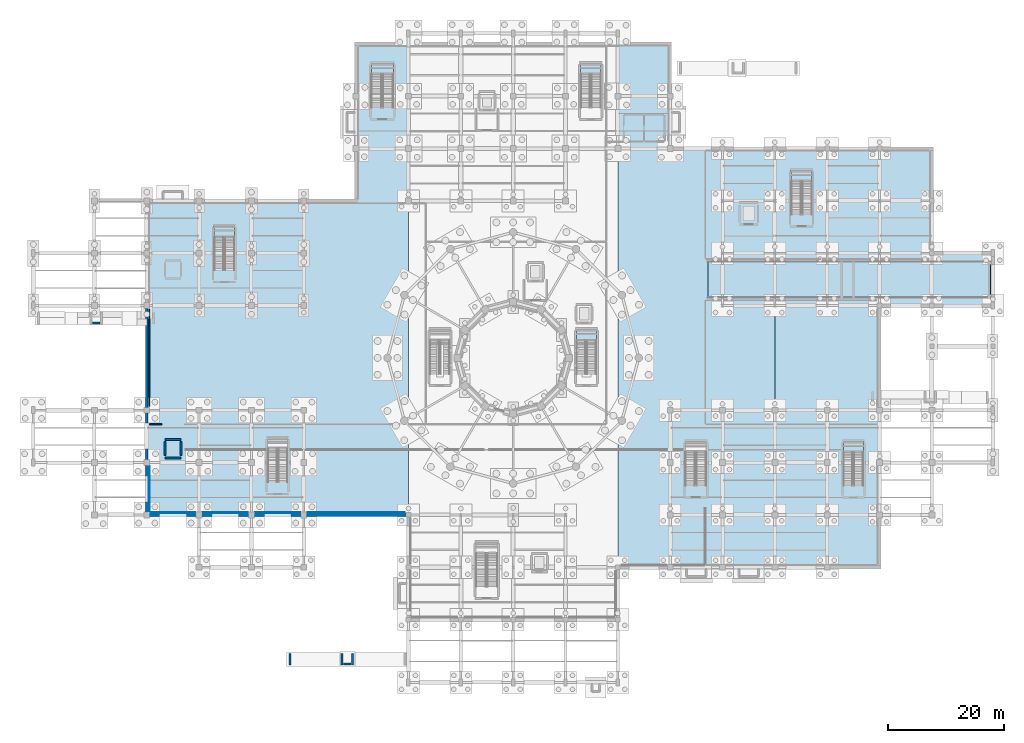
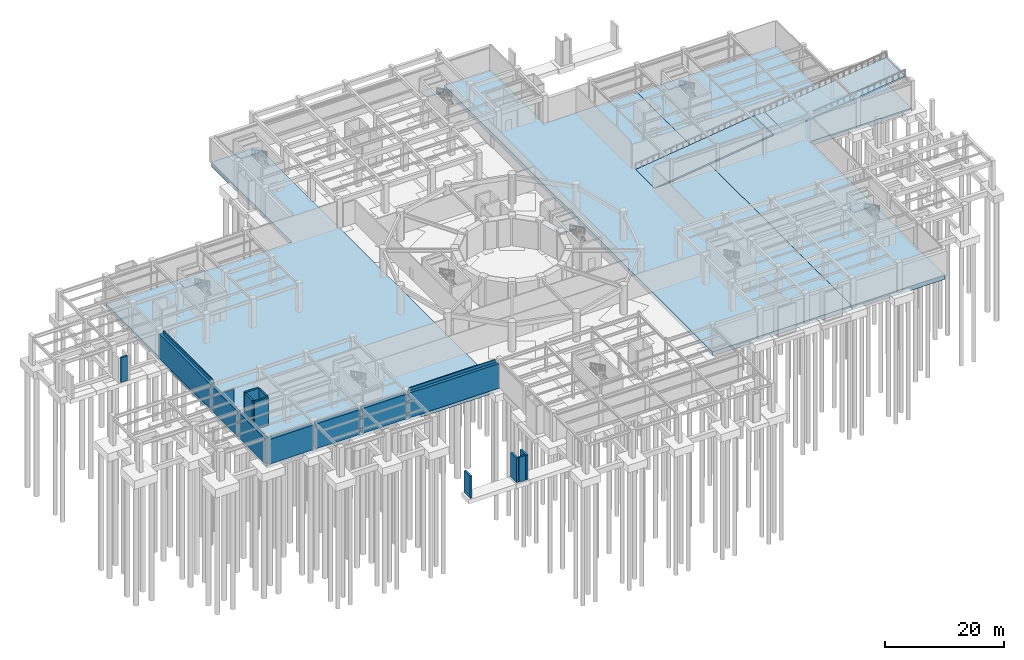
# One storey, part 16 of 36: 23 walls, 12 slabs, 6 elements without a shape of their own.
"""IFC4 building model written with IfcOpenShell, lengths in metres."""

from ifc_helpers import new_model, si_unit, direction, frame, frame_2d, origin, place, context, subcontext, project, spatial, polyline, rectangle, outline, extrude, material, layer, layer_set, type_object, element, aggregate, save


model = new_model("IFC4")

# Units and contexts
model_context = context("Model", 3, precision=1e-05, world=origin(), true_north=direction((0.0, 1.0)))
body_context = subcontext(model_context, "Body", "Model", "MODEL_VIEW")
ifc_project = project(units=[si_unit("LENGTHUNIT", "METRE"), si_unit("AREAUNIT", "SQUARE_METRE"), si_unit("VOLUMEUNIT", "CUBIC_METRE"), si_unit("PLANEANGLEUNIT", "RADIAN"), si_unit("MASSUNIT", "GRAM", prefix="KILO")], contexts=[model_context])

# Site, building, storey
site_placement = place(None, origin())
site = spatial("IfcSite", under=ifc_project, at=site_placement, CompositionType="ELEMENT")
building_placement = place(site_placement, origin())
building = spatial("IfcBuilding", under=site, at=building_placement, Name="Haizhuo Lancet Aquarium", CompositionType="ELEMENT")
storey_placement = place(building_placement, frame((0.0, 0.0, -6.0)))
storey = spatial("IfcBuildingStorey", under=building, at=storey_placement, Name="B1", CompositionType="ELEMENT", Elevation=-6.0)

# Slabs
ifc_material_1 = material(Name="Concrete C45/55", Category="concrete")
ifc_layer_1 = layer(ifc_material_1, 0.89990234375)
ifc_layer_set_1 = layer_set([ifc_layer_1], Name="Concrete C45/55")
slab_type_1 = type_object("IfcSlabType", Name="SLB-BASE-900", PredefinedType="BASESLAB", material=ifc_layer_set_1)
slab_1_placement = place(storey_placement, frame((0.0, 0.0, -0.89990234375)))
element("IfcSlab", 1, at=slab_1_placement, inside=storey, type_object=slab_type_1, Name="B1 structural slab SL-B1-BASE-01", PredefinedType="BASESLAB", context=body_context, shape_type="SweptSolid", body=[
    extrude(outline(polyline([(-63.0, 27.0), (-63.0, -27.0), (-18.0, -27.0), (-18.0, 54.0), (-27.0, 54.0), (-27.0, 27.0), (-63.0, 27.0)])), origin(), (0.0, 0.0, 1.0), 0.89990234375),
])
slab_2_placement = place(storey_placement, frame((0.0, 0.0, -0.89990234375)))
element("IfcSlab", 2, at=slab_2_placement, inside=storey, type_object=slab_type_1, Name="B1 structural slab SL-B1-BASE-03", PredefinedType="BASESLAB", context=body_context, shape_type="SweptSolid", body=[
    extrude(outline(polyline([(18.0, 54.0), (18.0, -36.0), (45.0, -36.0), (45.0, 36.0), (27.0, 36.0), (27.0, 54.0), (18.0, 54.0)])), origin(), (0.0, 0.0, 1.0), 0.89990234375),
])
slab_3_placement = place(storey_placement, frame((0.0, 0.0, -0.89990234375)))
element("IfcSlab", 3, at=slab_3_placement, inside=storey, type_object=slab_type_1, Name="B1 structural slab SL-B1-BASE-04", PredefinedType="BASESLAB", context=body_context, shape_type="SweptSolid", body=[
    extrude(outline(polyline([(45.0, 36.0), (45.0, -36.0), (63.0, -36.0), (63.0, 9.0), (82.5, 9.0), (82.5, 18.0), (72.0, 18.0), (72.0, 36.0), (45.0, 36.0)])), origin(), (0.0, 0.0, 1.0), 0.89990234375),
])

# Stair, slab
ifc_material_2 = material(Name="Concrete C40/50", Category="concrete")
stair_type_1 = type_object("IfcStairType", Name="STR-HT-1600-60", PredefinedType="HALF_TURN_STAIR", material=ifc_material_2)
stair_1_placement = place(storey_placement, origin())
stair_1 = element("IfcStair", 4, at=stair_1_placement, inside=storey, type_object=stair_type_1, Name="B1 enclosed exit stair ST-02", PredefinedType="HALF_TURN_STAIR")
ifc_layer_2 = layer(ifc_material_2, 0.199951171875)
ifc_layer_set_2 = layer_set([ifc_layer_2], Name="Concrete C40/50")
slab_type_2 = type_object("IfcSlabType", Name="SLB-LND-1600", PredefinedType="LANDING", material=ifc_layer_set_2)
slab_4_placement = place(storey_placement, frame((0.0, 0.0, 2.800048828125)))
slab_4 = element("IfcSlab", 5, at=slab_4_placement, type_object=slab_type_2, Name="ST-16 landing 1", PredefinedType="LANDING", context=body_context, shape_type="SweptSolid", body=[
    extrude(outline(polyline([(14.300048828125, 2.949951171875), (14.300048828125, 4.85009765625), (10.89990234375, 4.85009765625), (10.89990234375, 2.949951171875), (14.300048828125, 2.949951171875)])), origin(), (0.0, 0.0, 1.0), 0.199951171875),
])
aggregate(stair_1, [slab_4])

stair_2_placement = place(storey_placement, origin())
stair_2 = element("IfcStair", 6, at=stair_2_placement, inside=storey, type_object=stair_type_1, Name="B1 enclosed exit stair ST-05", PredefinedType="HALF_TURN_STAIR")
slab_5_placement = place(storey_placement, frame((0.0, 0.0, 2.800048828125)))
slab_5 = element("IfcSlab", 7, at=slab_5_placement, type_object=slab_type_2, Name="ST-16 landing 1", PredefinedType="LANDING", context=body_context, shape_type="SweptSolid", body=[
    extrude(outline(polyline([(60.199951171875, -16.25), (60.199951171875, -14.35009765625), (56.800048828125, -14.35009765625), (56.800048828125, -16.25), (60.199951171875, -16.25)])), origin(), (0.0, 0.0, 1.0), 0.199951171875),
])
aggregate(stair_2, [slab_5])

stair_type_2 = type_object("IfcStairType", Name="STR-HT-1650-60", PredefinedType="HALF_TURN_STAIR", material=ifc_material_2)
stair_3_placement = place(storey_placement, origin())
stair_3 = element("IfcStair", 8, at=stair_3_placement, inside=storey, type_object=stair_type_2, Name="B1 enclosed exit stair ST-03", PredefinedType="HALF_TURN_STAIR")
ifc_layer_3 = layer(ifc_material_2, 0.199951171875)
ifc_layer_set_3 = layer_set([ifc_layer_3], Name="Concrete C40/50")
slab_type_3 = type_object("IfcSlabType", Name="SLB-LND-1650", PredefinedType="LANDING", material=ifc_layer_set_3)
slab_6_placement = place(storey_placement, frame((0.0, 0.0, 2.800048828125)))
slab_6 = element("IfcSlab", 9, at=slab_6_placement, type_object=slab_type_3, Name="ST-26 landing 1", PredefinedType="LANDING", context=body_context, shape_type="SweptSolid", body=[
    extrude(outline(polyline([(-47.89990234375, 20.75), (-47.89990234375, 22.64990234375), (-51.39990234375, 22.64990234375), (-51.39990234375, 20.75), (-47.89990234375, 20.75)])), origin(), (0.0, 0.0, 1.0), 0.199951171875),
])
aggregate(stair_3, [slab_6])

stair_4_placement = place(storey_placement, origin())
stair_4 = element("IfcStair", 10, at=stair_4_placement, inside=storey, type_object=stair_type_2, Name="B1 enclosed exit stair ST-08", PredefinedType="HALF_TURN_STAIR")
slab_7_placement = place(storey_placement, frame((0.0, 0.0, 2.800048828125)))
slab_7 = element("IfcSlab", 11, at=slab_7_placement, type_object=slab_type_3, Name="ST-26 landing 1", PredefinedType="LANDING", context=body_context, shape_type="SweptSolid", body=[
    extrude(outline(polyline([(15.10009765625, 48.75), (15.10009765625, 50.64990234375), (11.60009765625, 50.64990234375), (11.60009765625, 48.75), (15.10009765625, 48.75)])), origin(), (0.0, 0.0, 1.0), 0.199951171875),
])
aggregate(stair_4, [slab_7])

stair_type_3 = type_object("IfcStairType", Name="STR-HT-1700-60", PredefinedType="HALF_TURN_STAIR", material=ifc_material_2)
stair_5_placement = place(storey_placement, origin())
stair_5 = element("IfcStair", 12, at=stair_5_placement, inside=storey, type_object=stair_type_3, Name="B1 enclosed exit stair ST-10", PredefinedType="HALF_TURN_STAIR")
ifc_layer_4 = layer(ifc_material_2, 0.199951171875)
ifc_layer_set_4 = layer_set([ifc_layer_4], Name="Concrete C40/50")
slab_type_4 = type_object("IfcSlabType", Name="SLB-LND-1700", PredefinedType="LANDING", material=ifc_layer_set_4)
slab_8_placement = place(storey_placement, frame((0.0, 0.0, 2.800048828125)))
slab_8 = element("IfcSlab", 13, at=slab_8_placement, type_object=slab_type_4, Name="ST-36 landing 1", PredefinedType="LANDING", context=body_context, shape_type="SweptSolid", body=[
    extrude(outline(polyline([(51.39990234375, 30.35009765625), (51.39990234375, 32.25), (47.800048828125, 32.25), (47.800048828125, 30.35009765625), (51.39990234375, 30.35009765625)])), origin(), (0.0, 0.0, 1.0), 0.199951171875),
])
aggregate(stair_5, [slab_8])

stair_type_4 = type_object("IfcStairType", Name="STR-HT-1800-60", PredefinedType="HALF_TURN_STAIR", material=ifc_material_2)
stair_6_placement = place(storey_placement, origin())
stair_6 = element("IfcStair", 14, at=stair_6_placement, inside=storey, type_object=stair_type_4, Name="B1 enclosed exit stair ST-07", PredefinedType="HALF_TURN_STAIR")
ifc_layer_5 = layer(ifc_material_2, 0.199951171875)
ifc_layer_set_5 = layer_set([ifc_layer_5], Name="Concrete C40/50")
slab_type_5 = type_object("IfcSlabType", Name="SLB-LND-1800", PredefinedType="LANDING", material=ifc_layer_set_5)
slab_9_placement = place(storey_placement, frame((0.0, 0.0, 2.800048828125)))
slab_9 = element("IfcSlab", 15, at=slab_9_placement, type_object=slab_type_5, Name="ST-56 landing 1", PredefinedType="LANDING", context=body_context, shape_type="SweptSolid", body=[
    extrude(outline(polyline([(-20.60009765625, 48.75), (-20.60009765625, 50.64990234375), (-24.39990234375, 50.64990234375), (-24.39990234375, 48.75), (-20.60009765625, 48.75)])), origin(), (0.0, 0.0, 1.0), 0.199951171875),
])
aggregate(stair_6, [slab_9])

# Slabs
ifc_layer_6 = layer(ifc_material_2, 0.300048828125)
ifc_layer_set_6 = layer_set([ifc_layer_6], Name="Concrete C40/50")
slab_type_6 = type_object("IfcSlabType", Name="SLB-VRMP-300", PredefinedType="FLOOR", material=ifc_layer_set_6)
slab_10_placement = place(storey_placement, frame((33.5, 10.300048828125, 0.0), z_axis=(-0.129339184068, 0.0, 0.991600411186), x_axis=(0.991600411186, 0.0, 0.129339184068)))
element("IfcSlab", 16, at=slab_10_placement, inside=storey, type_object=slab_type_6, Name="B1 vehicle ramp VR-01 lower structural slab (Concrete C40/50)", PredefinedType="FLOOR", context=body_context, shape_type="SweptSolid", body=[
    extrude(outline(polyline([(0.0, 0.0), (23.194827009486406, 0.0), (23.194827009486406, 6.300048828125002), (0.0, 6.300048828125002), (0.0, 0.0)])), origin(), (0.0, 0.0, -1.0), 0.300048828125),
])
slab_11_placement = place(storey_placement, frame((0.0, 0.0, 2.699951171875)))
element("IfcSlab", 17, at=slab_11_placement, inside=storey, type_object=slab_type_6, Name="B1 vehicle ramp VR-01 mid-landing structural slab (Concrete C40/50)", PredefinedType="FLOOR", context=body_context, shape_type="SweptSolid", body=[
    extrude(outline(polyline([(56.35009765625, 10.300048828125), (58.64990234375, 10.300048828125), (58.64990234375, 16.60009765625), (56.35009765625, 16.60009765625), (56.35009765625, 10.300048828125)])), origin(), (0.0, 0.0, 1.0), 0.300048828125),
])
slab_12_placement = place(storey_placement, frame((58.5, 10.300048828125, 3.0), z_axis=(-0.126367069225, 0.0, 0.991983550174), x_axis=(0.991983550174, 0.0, 0.126367069225)))
element("IfcSlab", 18, at=slab_12_placement, inside=storey, type_object=slab_type_6, Name="B1 vehicle ramp VR-01 upper structural slab (Concrete C40/50)", PredefinedType="FLOOR", context=body_context, shape_type="SweptSolid", body=[
    extrude(outline(polyline([(0.0, 0.0), (23.740362250965585, 0.0), (23.740362250965585, 6.300048828125), (0.0, 6.300048828125), (0.0, 0.0)])), origin(), (0.0, 0.0, -1.0), 0.300048828125),
])

# Walls
ifc_layer_7 = layer(ifc_material_2, 0.179931640625)
ifc_layer_set_7 = layer_set([ifc_layer_7], Name="Concrete C40/50")
wall_type_1 = type_object("IfcWallType", Name="IWL-LAB-180", PredefinedType="PARTITIONING", material=ifc_layer_set_7)
wall_1_placement = place(storey_placement, frame((-62.5, -11.39990234375, 0.0), z_axis=(0.0, 0.0, 1.0), x_axis=(1.0, 0.0, 0.0)))
element("IfcWall", 19, at=wall_1_placement, inside=storey, type_object=wall_type_1, Name="B1 partition wall 34", PredefinedType="PARTITIONING", context=body_context, shape_type="SweptSolid", body=[
    extrude(rectangle(XDim=2.050048828125, YDim=0.179931640625, at=frame_2d((1.02490234375, 0.0))), origin(), (0.0, 0.0, 1.0), 4.985107421875),
])
wall_2_placement = place(storey_placement, frame((-62.60009765625, 8.35009765625, 0.0), z_axis=(0.0, 0.0, 1.0), x_axis=(0.0, -1.0, 0.0)))
element("IfcWall", 20, at=wall_2_placement, inside=storey, type_object=wall_type_1, Name="B1 partition wall 45", PredefinedType="PARTITIONING", context=body_context, shape_type="SweptSolid", body=[
    extrude(rectangle(XDim=16.7001953125, YDim=0.179931640625, at=frame_2d((8.35009765625, 0.0))), origin(), (0.0, 0.0, 1.0), 5.64990234375),
])
ifc_material_3 = material(Name="Gypsum Fireboard Partition")
ifc_layer_8 = layer(ifc_material_3, 0.14990234375)
ifc_layer_set_8 = layer_set([ifc_layer_8], Name="Gypsum Fireboard Partition")
wall_type_2 = type_object("IfcWallType", Name="IWL-STD-150", PredefinedType="PARTITIONING", material=ifc_layer_set_8)
wall_3_placement = place(storey_placement, frame((-62.60009765625, -18.64990234375, 0.0), z_axis=(0.0, 0.0, 1.0), x_axis=(0.0, -1.0, 0.0)))
element("IfcWall", 21, at=wall_3_placement, inside=storey, type_object=wall_type_2, Name="B1 partition wall 17", PredefinedType="PARTITIONING", context=body_context, shape_type="SweptSolid", body=[
    extrude(rectangle(XDim=7.7001953125, YDim=0.14990234375, at=frame_2d((3.85009765625, 0.0))), origin(), (0.0, 0.0, 1.0), 4.985107421875),
])
wall_4_placement = place(storey_placement, frame((-62.360107421875, -26.64794921875, 0.0), z_axis=(0.0, 0.0, 1.0), x_axis=(0.999999967915, -0.00025331686, 0.0)))
element("IfcWall", 22, at=wall_4_placement, inside=storey, type_object=wall_type_2, Name="B1 partition wall 18", PredefinedType="PARTITIONING", context=body_context, shape_type="SweptSolid", body=[
    extrude(rectangle(XDim=7.710205078125, YDim=0.14990234375, at=frame_2d((3.85498046875, 0.0))), origin(), (0.0, 0.0, 1.0), 4.985107421875),
])
for number, where, z_axis, x_axis, name in (
    (23, (-53.35009765625, -26.64990234375, 0.0), (0.0, 0.0, 1.0), (1.0, 0.0, 0.0), "B1 partition wall 19"),
    (24, (-44.35009765625, -26.64990234375, 0.0), (0.0, 0.0, 1.0), (1.0, 0.0, 0.0), "B1 partition wall 20"),
):
    element("IfcWall", number, at=place(storey_placement, frame(where, z_axis=z_axis, x_axis=x_axis)), inside=storey, type_object=wall_type_2, Name=name, PredefinedType="PARTITIONING", context=body_context, shape_type="SweptSolid", body=[
        extrude(rectangle(XDim=7.7001953125, YDim=0.14990234375, at=frame_2d((3.85009765625, 0.0))), origin(), (0.0, 0.0, 1.0), 4.985107421875),
    ])
wall_5_placement = place(storey_placement, frame((-35.35009765625, -26.64990234375, 0.0), z_axis=(0.0, 0.0, 1.0), x_axis=(1.0, 0.0, 0.0)))
element("IfcWall", 25, at=wall_5_placement, inside=storey, type_object=wall_type_2, Name="B1 partition wall 21", PredefinedType="PARTITIONING", context=body_context, shape_type="SweptSolid", body=[
    extrude(rectangle(XDim=16.7001953125, YDim=0.14990234375, at=frame_2d((8.35009765625, 0.0))), origin(), (0.0, 0.0, 1.0), 5.64990234375),
])
ifc_layer_9 = layer(ifc_material_2, 0.35009765625)
ifc_layer_set_9 = layer_set([ifc_layer_9], Name="Concrete C40/50")
wall_type_3 = type_object("IfcWallType", Name="WL-CORE-350", PredefinedType="SHEAR", material=ifc_layer_set_9)
for number, where, z_axis, x_axis, name in (
    (26, (-59.875, -17.175048828125, 0.0), (0.0, 0.0, 1.0), (1.0, 0.0, 0.0), "B1 LF-03 lift shaft wall -Y"),
    (27, (-57.125, -14.02490234375, 0.0), (0.0, 0.0, 1.0), (-1.0, 0.0, 0.0), "B1 LF-03 lift shaft wall +Y"),
):
    element("IfcWall", number, at=place(storey_placement, frame(where, z_axis=z_axis, x_axis=x_axis)), inside=storey, type_object=wall_type_3, Name=name, PredefinedType="SHEAR", context=body_context, shape_type="SweptSolid", body=[
        extrude(rectangle(XDim=2.75, YDim=0.35009765625, at=frame_2d((1.375, 0.0))), origin(), (0.0, 0.0, 1.0), 5.699951171875),
    ])
for number, where, z_axis, x_axis, name in (
    (28, (-59.875, -16.824951171875, 0.0), (0.0, 0.0, 1.0), (0.0, 1.0, 0.0), "B1 LF-03 lift shaft wall -X"),
    (29, (-57.125, -16.824951171875, 0.0), (0.0, 0.0, 1.0), (0.0, 1.0, 0.0), "B1 LF-03 lift shaft wall +X"),
):
    element("IfcWall", number, at=place(storey_placement, frame(where, z_axis=z_axis, x_axis=x_axis)), inside=storey, type_object=wall_type_3, Name=name, PredefinedType="SHEAR", context=body_context, shape_type="SweptSolid", body=[
        extrude(rectangle(XDim=2.449951171875, YDim=0.35009765625, at=frame_2d((1.22509765625, 0.0))), origin(), (0.0, 0.0, 1.0), 5.699951171875),
    ])
wall_6_placement = place(storey_placement, frame((-72.35009765625, 5.97509765625, 0.0), z_axis=(0.0, 0.0, 1.0), x_axis=(1.0, 0.0, 0.0)))
element("IfcWall", 30, at=wall_6_placement, inside=storey, type_object=wall_type_3, material=ifc_material_2, Name="West Avenue Accessible Plinth Ramp RMP-01 bearing wall SIDE", PredefinedType="SOLIDWALL", context=body_context, shape_type="SweptSolid", body=[
    extrude(rectangle(XDim=1.300048828125, YDim=0.35009765625, at=frame_2d((0.64990234375, 0.0))), origin(), (0.0, 0.0, 1.0), 5.050048828125),
])
wall_7_placement = place(storey_placement, frame((-38.39990234375, -52.800048828125, 0.0), z_axis=(0.0, 0.0, 1.0), x_axis=(0.0, 1.0, 0.0)))
element("IfcWall", 31, at=wall_7_placement, inside=storey, type_object=wall_type_3, material=ifc_material_2, Name="South Forecourt Accessible Plinth Ramp RMP-03 bearing wall BOT", PredefinedType="SOLIDWALL", context=body_context, shape_type="SweptSolid", body=[
    extrude(rectangle(XDim=2.0, YDim=0.35009765625, at=frame_2d((1.0, 0.0))), origin(), (0.0, 0.0, 1.0), 4.5),
])
for number, where, z_axis, x_axis, name in (
    (32, (-29.39990234375, -52.800048828125, 0.0), (0.0, 0.0, 1.0), (0.0, 1.0, 0.0), "South Forecourt Accessible Plinth Ramp RMP-03 bearing wall MID1"),
    (33, (-27.60009765625, -52.800048828125, 0.0), (0.0, 0.0, 1.0), (0.0, 1.0, 0.0), "South Forecourt Accessible Plinth Ramp RMP-03 bearing wall MID2"),
):
    element("IfcWall", number, at=place(storey_placement, frame(where, z_axis=z_axis, x_axis=x_axis)), inside=storey, type_object=wall_type_3, material=ifc_material_2, Name=name, PredefinedType="SOLIDWALL", context=body_context, shape_type="SweptSolid", body=[
        extrude(rectangle(XDim=2.0, YDim=0.35009765625, at=frame_2d((1.0, 0.0))), origin(), (0.0, 0.0, 1.0), 5.051025390625),
    ])
wall_8_placement = place(storey_placement, frame((-29.14990234375, -52.625, 0.0), z_axis=(0.0, 0.0, 1.0), x_axis=(1.0, 0.0, 0.0)))
element("IfcWall", 34, at=wall_8_placement, inside=storey, type_object=wall_type_3, material=ifc_material_2, Name="South Forecourt Accessible Plinth Ramp RMP-03 bearing wall SIDE", PredefinedType="SOLIDWALL", context=body_context, shape_type="SweptSolid", body=[
    extrude(rectangle(XDim=1.2998046875, YDim=0.35009765625, at=frame_2d((0.64990234375, 0.0))), origin(), (0.0, 0.0, 1.0), 5.050048828125),
])
ifc_layer_10 = layer(ifc_material_1, 0.5)
ifc_layer_set_10 = layer_set([ifc_layer_10], Name="Concrete C45/55")
wall_type_4 = type_object("IfcWallType", Name="WL-RET-500", PredefinedType="USERDEFINED", material=ifc_layer_set_10)
wall_9_placement = place(storey_placement, frame((-63.0, 8.699951171875, 0.0), z_axis=(0.0, 0.0, 1.0), x_axis=(0.0, -1.0, 0.0)))
element("IfcWall", 35, at=wall_9_placement, inside=storey, type_object=wall_type_4, Name="B1 waterproof perimeter retaining wall 16.3", ObjectType="RETAININGWALL", PredefinedType="USERDEFINED", context=body_context, shape_type="SweptSolid", body=[
    extrude(rectangle(XDim=17.39990234375, YDim=0.5, at=frame_2d((8.699951171875, 0.0))), origin(), (0.0, 0.0, 1.0), 5.050048828125),
])
for number, where, z_axis, x_axis, name in (
    (36, (-63.0, -9.300048828125, 0.0), (0.0, 0.0, 1.0), (0.0, -1.0, 0.0), "B1 waterproof perimeter retaining wall 16.4"),
    (37, (-63.0, -18.300048828125, 0.0), (0.0, 0.0, 1.0), (0.0, -1.0, 0.0), "B1 waterproof perimeter retaining wall 16.5"),
):
    element("IfcWall", number, at=place(storey_placement, frame(where, z_axis=z_axis, x_axis=x_axis)), inside=storey, type_object=wall_type_4, Name=name, ObjectType="RETAININGWALL", PredefinedType="USERDEFINED", context=body_context, shape_type="SweptSolid", body=[
        extrude(rectangle(XDim=8.39990234375, YDim=0.5, at=frame_2d((4.199951171875, 0.0))), origin(), (0.0, 0.0, 1.0), 5.050048828125),
    ])
ifc_layer_11 = layer(ifc_material_1, 0.60009765625)
ifc_layer_set_11 = layer_set([ifc_layer_11], Name="Concrete C45/55")
wall_type_5 = type_object("IfcWallType", Name="WL-RET-600", PredefinedType="USERDEFINED", material=ifc_layer_set_11)
for number, where, z_axis, x_axis, name in (
    (38, (-62.699951171875, -27.0, 0.0), (0.0, 0.0, 1.0), (1.0, 0.0, 0.0), "B1 waterproof perimeter retaining wall 1.1"),
    (39, (-53.699951171875, -27.0, 0.0), (0.0, 0.0, 1.0), (1.0, 0.0, 0.0), "B1 waterproof perimeter retaining wall 1.2"),
    (40, (-44.699951171875, -27.0, 0.0), (0.0, 0.0, 1.0), (1.0, 0.0, 0.0), "B1 waterproof perimeter retaining wall 1.3"),
):
    element("IfcWall", number, at=place(storey_placement, frame(where, z_axis=z_axis, x_axis=x_axis)), inside=storey, type_object=wall_type_5, Name=name, ObjectType="RETAININGWALL", PredefinedType="USERDEFINED", context=body_context, shape_type="SweptSolid", body=[
        extrude(rectangle(XDim=8.39990234375, YDim=0.60009765625, at=frame_2d((4.199951171875, 0.0))), origin(), (0.0, 0.0, 1.0), 5.050048828125),
    ])
wall_10_placement = place(storey_placement, frame((-35.699951171875, -27.0, 0.0), z_axis=(0.0, 0.0, 1.0), x_axis=(1.0, 0.0, 0.0)))
element("IfcWall", 41, at=wall_10_placement, inside=storey, type_object=wall_type_5, Name="B1 waterproof perimeter retaining wall 1.4", ObjectType="RETAININGWALL", PredefinedType="USERDEFINED", context=body_context, shape_type="SweptSolid", body=[
    extrude(rectangle(XDim=17.39990234375, YDim=0.60009765625, at=frame_2d((8.699951171875, 0.0))), origin(), (0.0, 0.0, 1.0), 5.050048828125),
])

save(model, "model.ifc")
